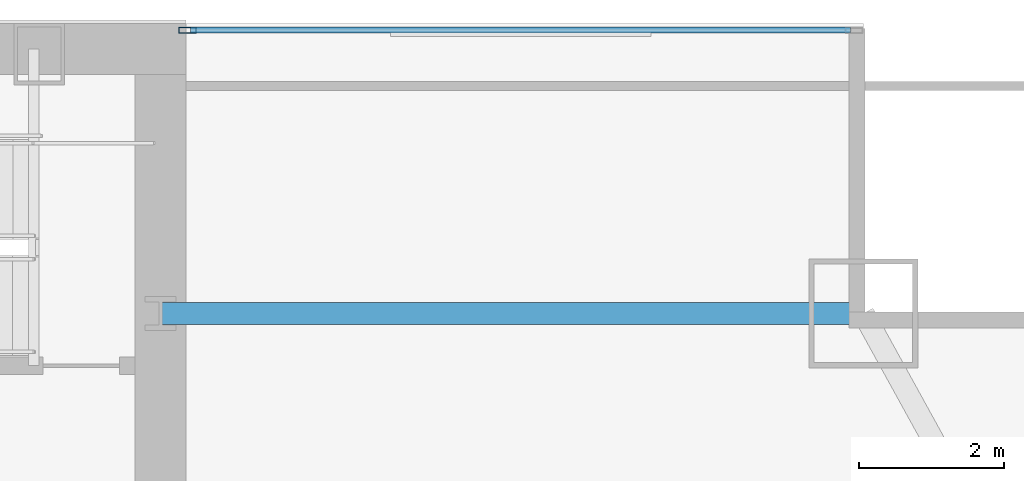
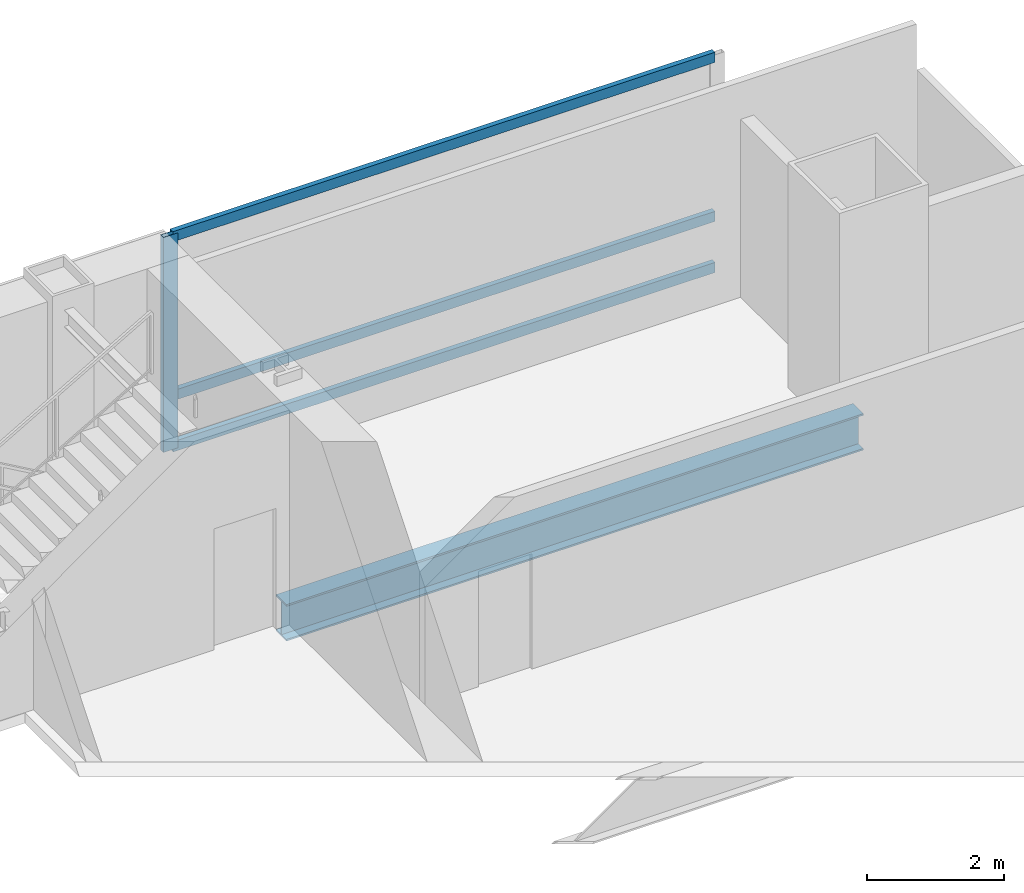
# One storey, part 20 of 30: 4 members, 1 beam, 1 element without a shape of its own.
"""IFC4 building model written with IfcOpenShell, lengths in metres."""

from ifc_helpers import new_model, si_unit, direction, frame, origin, origin_2d, place, context, subcontext, project, spatial, hollow_rectangle, i_section, extrude, material, material_profile, profile_set, type_object, element, aggregate, save


model = new_model("IFC4")

# Units and contexts
model_context = context("Model", 3, precision=1e-05, world=origin(), true_north=direction((0.0, 1.0)))
body_context = subcontext(model_context, "Body", "Model", "MODEL_VIEW")
ifc_project = project(units=[si_unit("LENGTHUNIT", "METRE"), si_unit("AREAUNIT", "SQUARE_METRE"), si_unit("VOLUMEUNIT", "CUBIC_METRE"), si_unit("PLANEANGLEUNIT", "RADIAN"), si_unit("MASSUNIT", "GRAM", prefix="KILO")], contexts=[model_context])

# Site, building, storey
site_placement = place(None, origin())
site = spatial("IfcSite", under=ifc_project, at=site_placement, CompositionType="ELEMENT")
building_placement = place(site_placement, origin())
building = spatial("IfcBuilding", under=site, at=building_placement, Name="Khoronbel Lancet Exchange", CompositionType="ELEMENT")
storey_placement = place(building_placement, frame((0.0, 0.0, 98.60009765625)))
storey = spatial("IfcBuildingStorey", under=building, at=storey_placement, Name="L23", CompositionType="ELEMENT", Elevation=98.60009765625)

# Beam
ifc_material_1 = material(Name="Steel S355", Category="steel")
ifc_material_profile_1 = material_profile(ifc_material_1, i_section(OverallWidth=0.300048828125, OverallDepth=0.64990234375, WebThickness=0.01611328125, FlangeThickness=0.031005859375, at=origin_2d()), Name="HEB 650")
ifc_profile_set_1 = profile_set([ifc_material_profile_1], Name="Steel S355")
beam_type = type_object("IfcBeamType", Name="BM-BSP1", PredefinedType="SPANDREL", material=ifc_profile_set_1)
beam_placement = place(storey_placement, frame((66.050048828125, 49.699951171875, -0.505126953125), z_axis=(-1.0, 0.0, 0.0), x_axis=(0.0, -1.0, 0.0)))
element("IfcBeam", 1, at=beam_placement, inside=storey, type_object=beam_type, Name="Level L23 north flank tie spandrel SP23", PredefinedType="SPANDREL", context=body_context, shape_type="SweptSolid", body=[
    extrude(i_section(OverallWidth=0.300048828125, OverallDepth=0.64990234375, WebThickness=0.01611328125, FlangeThickness=0.031005859375, at=origin_2d()), origin(), (0.0, 0.0, 1.0), 9.699951171875),
])

# Curtain wall, members
ifc_material_2 = material(Name="Low-E Solar Control Insulating Glass", Category="glass")
curtain_wall_type = type_object("IfcCurtainWallType", Name="CW-2", PredefinedType="NOTDEFINED", material=ifc_material_2)
curtain_wall_placement = place(storey_placement, origin())
curtain_wall = element("IfcCurtainWall", 2, at=curtain_wall_placement, inside=storey, type_object=curtain_wall_type, Name="Unitised curtain wall CW-L23-NEFLK", PredefinedType="NOTDEFINED")
ifc_material_3 = material(Name="Bronze-Anodised Aluminium 6063-T6", Category="aluminium")
ifc_material_profile_2 = material_profile(ifc_material_3, hollow_rectangle(XDim=0.0849609375, YDim=0.239990234375, WallThickness=0.006103515625, at=origin_2d()), Name="ALU MULLION 85x240")
ifc_profile_set_2 = profile_set([ifc_material_profile_2], Name="Bronze-Anodised Aluminium 6063-T6")
member_type_1 = type_object("IfcMemberType", Name="MEM-CWM1", PredefinedType="MULLION", material=ifc_profile_set_2)
member_1_placement = place(storey_placement, frame((56.722412109375, 53.610107421875, 0.0), z_axis=(0.0, 0.0, 1.0), x_axis=(0.0, -1.0, 0.0)))
member_1 = element("IfcMember", 3, at=member_1_placement, type_object=member_type_1, Name="CW2 mullion 2", PredefinedType="MULLION", context=body_context, shape_type="SweptSolid", body=[
    extrude(hollow_rectangle(XDim=0.0849609375, YDim=0.239990234375, WallThickness=0.006103515625, at=origin_2d()), origin(), (0.0, 0.0, 1.0), 3.81982421875),
])
ifc_material_profile_3 = material_profile(ifc_material_3, hollow_rectangle(XDim=0.0849609375, YDim=0.179931640625, WallThickness=0.0048828125, at=origin_2d()), Name="ALU TRANSOM 85x180")
ifc_profile_set_3 = profile_set([ifc_material_profile_3], Name="Bronze-Anodised Aluminium 6063-T6")
member_type_2 = type_object("IfcMemberType", Name="MEM-CWT1", PredefinedType="USERDEFINED", material=ifc_profile_set_3)
member_2_placement = place(storey_placement, frame((65.875, 53.610107421875, 0.04248046875), z_axis=(-1.0, 0.0, 0.0), x_axis=(0.0, -1.0, 0.0)))
member_2 = element("IfcMember", 4, at=member_2_placement, type_object=member_type_2, Name="CW2 transom 1.1", ObjectType="TRANSOM", PredefinedType="USERDEFINED", context=body_context, shape_type="SweptSolid", body=[
    extrude(hollow_rectangle(XDim=0.0849609375, YDim=0.179931640625, WallThickness=0.0048828125, at=origin_2d()), origin(), (0.0, 0.0, 1.0), 9.110107421875),
])
member_3_placement = place(storey_placement, frame((65.875, 53.610107421875, 0.949951171875), z_axis=(-1.0, 0.0, 0.0), x_axis=(0.0, -1.0, 0.0)))
member_3 = element("IfcMember", 5, at=member_3_placement, type_object=member_type_2, Name="CW2 transom 1.2", ObjectType="TRANSOM", PredefinedType="USERDEFINED", context=body_context, shape_type="SweptSolid", body=[
    extrude(hollow_rectangle(XDim=0.0849609375, YDim=0.179931640625, WallThickness=0.0048828125, at=origin_2d()), origin(), (0.0, 0.0, 1.0), 9.110107421875),
])
member_4_placement = place(storey_placement, frame((65.875, 53.610107421875, 3.77734375), z_axis=(-1.0, 0.0, 0.0), x_axis=(0.0, -1.0, 0.0)))
member_4 = element("IfcMember", 6, at=member_4_placement, type_object=member_type_2, Name="CW2 transom 1.3", ObjectType="TRANSOM", PredefinedType="USERDEFINED", context=body_context, shape_type="SweptSolid", body=[
    extrude(hollow_rectangle(XDim=0.0849609375, YDim=0.179931640625, WallThickness=0.0048828125, at=origin_2d()), origin(), (0.0, 0.0, 1.0), 9.110107421875),
])
aggregate(curtain_wall, [member_1, member_2, member_3, member_4])

save(model, "model.ifc")
